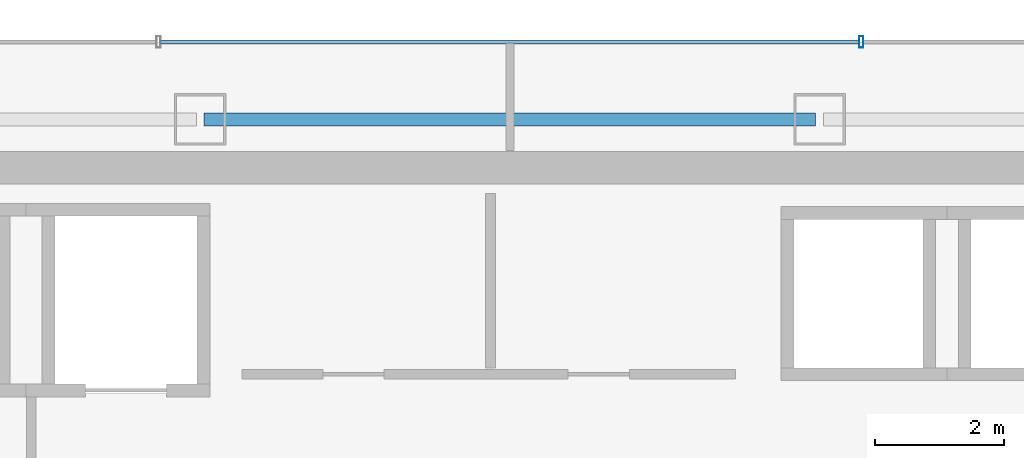
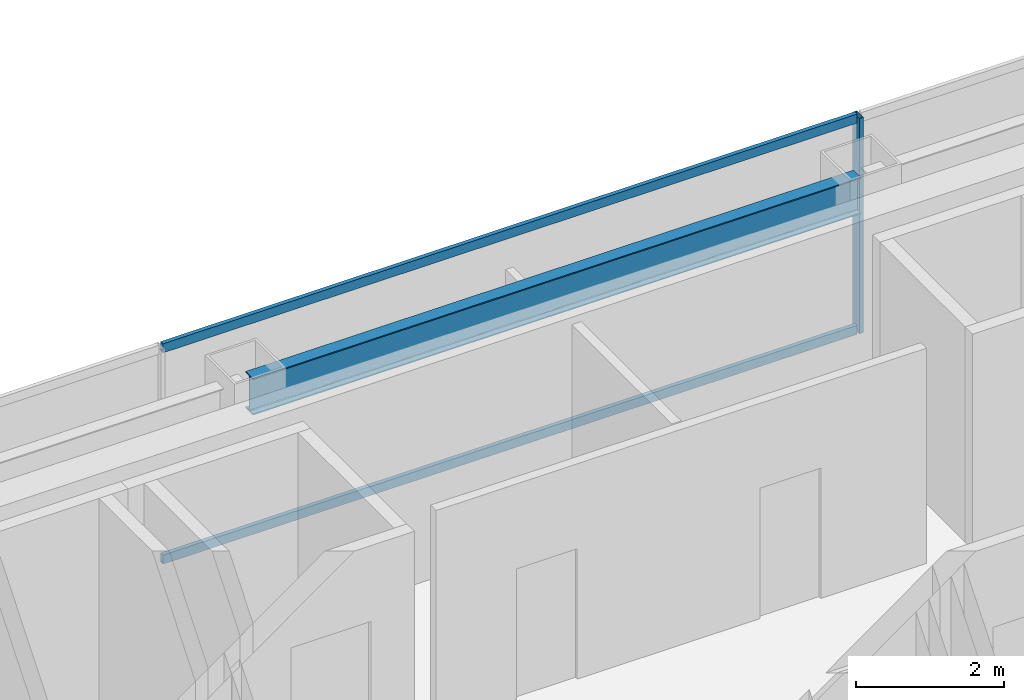
# One storey, part 25 of 35: 3 members, 1 beam, 1 element without a shape of its own.
"""IFC4 building model written with IfcOpenShell, lengths in metres."""

from ifc_helpers import new_model, si_unit, direction, frame, origin, origin_2d, place, context, subcontext, project, spatial, hollow_rectangle, i_section, extrude, material, material_profile, profile_set, type_object, element, aggregate, save


model = new_model("IFC4")

# Units and contexts
model_context = context("Model", 3, precision=1e-05, world=origin(), true_north=direction((0.0, 1.0)))
body_context = subcontext(model_context, "Body", "Model", "MODEL_VIEW")
ifc_project = project(units=[si_unit("LENGTHUNIT", "METRE"), si_unit("AREAUNIT", "SQUARE_METRE"), si_unit("VOLUMEUNIT", "CUBIC_METRE"), si_unit("PLANEANGLEUNIT", "RADIAN"), si_unit("MASSUNIT", "GRAM", prefix="KILO")], contexts=[model_context])

# Site, building, storey
site_placement = place(None, origin())
site = spatial("IfcSite", under=ifc_project, at=site_placement, CompositionType="ELEMENT")
building_placement = place(site_placement, origin())
building = spatial("IfcBuilding", under=site, at=building_placement, Name="Saevonmaru Cultural Tower", CompositionType="ELEMENT")
storey_placement = place(building_placement, frame((0.0, 0.0, 194.199951171875)))
storey = spatial("IfcBuildingStorey", under=building, at=storey_placement, Name="L44", CompositionType="ELEMENT", Elevation=194.199951171875)

# Beam
ifc_material_1 = material(Name="Steel SM355", Category="steel")
ifc_material_profile_1 = material_profile(ifc_material_1, i_section(OverallWidth=0.199951171875, OverallDepth=0.60009765625, WebThickness=0.010986328125, FlangeThickness=0.01708984375, FilletRadius=0.02197265625, at=origin_2d()), Name="H-600x200x11x17")
ifc_profile_set_1 = profile_set([ifc_material_profile_1], Name="Steel SM355")
beam_type = type_object("IfcBeamType", Name="BM-SP-H600", PredefinedType="SPANDREL", material=ifc_profile_set_1)
beam_placement = place(storey_placement, frame((25.260009765625, 54.800048828125, 3.25), z_axis=(1.0, 0.0, 0.0), x_axis=(0.0, 1.0, 0.0)))
element("IfcBeam", 1, at=beam_placement, inside=storey, type_object=beam_type, Name="L44 North Spine Girder 3", PredefinedType="SPANDREL", context=body_context, shape_type="SweptSolid", body=[
    extrude(i_section(OverallWidth=0.199951171875, OverallDepth=0.60009765625, WebThickness=0.010986328125, FlangeThickness=0.01708984375, FilletRadius=0.02197265625, at=origin_2d()), origin(), (0.0, 0.0, 1.0), 9.47998046875),
])

# Curtain wall, members
ifc_material_2 = material(Name="Satin Bronze Anodised Aluminium", Category="aluminium")
curtain_wall_type = type_object("IfcCurtainWallType", Name="CW-TYP-B", PredefinedType="NOTDEFINED", material=ifc_material_2)
curtain_wall_placement = place(storey_placement, origin())
curtain_wall = element("IfcCurtainWall", 2, at=curtain_wall_placement, inside=storey, type_object=curtain_wall_type, Name="L44 North Spine Unitised Curtain Wall E10B", PredefinedType="NOTDEFINED")
ifc_material_profile_2 = material_profile(ifc_material_2, hollow_rectangle(XDim=0.06494140625, YDim=0.179931640625, WallThickness=0.00390625, at=origin_2d()), Name="ALU-MULL-180x65x4")
ifc_profile_set_2 = profile_set([ifc_material_profile_2], Name="Satin Bronze Anodised Aluminium")
member_type_1 = type_object("IfcMemberType", Name="ML-CW-180x65", PredefinedType="MULLION", material=ifc_profile_set_2)
member_1_placement = place(storey_placement, frame((35.44677734375, 56.0, 0.0), z_axis=(0.0, 0.0, 1.0), x_axis=(-1.0, 0.0, 0.0)))
member_1 = element("IfcMember", 3, at=member_1_placement, type_object=member_type_1, Name="CW-TW-L44-E10B mullion 2", PredefinedType="MULLION", context=body_context, shape_type="SweptSolid", body=[
    extrude(hollow_rectangle(XDim=0.06494140625, YDim=0.179931640625, WallThickness=0.00390625, at=origin_2d()), origin(), (0.0, 0.0, 1.0), 3.550048828125),
])
ifc_material_profile_3 = material_profile(ifc_material_2, hollow_rectangle(XDim=0.06494140625, YDim=0.14990234375, WallThickness=0.00390625, at=origin_2d()), Name="ALU-TRAN-150x65x4")
ifc_profile_set_3 = profile_set([ifc_material_profile_3], Name="Satin Bronze Anodised Aluminium")
member_type_2 = type_object("IfcMemberType", Name="TR-CW-150x65", PredefinedType="USERDEFINED", material=ifc_profile_set_3)
member_2_placement = place(storey_placement, frame((35.4140625, 56.0, 0.032470703125), z_axis=(-1.0, 0.0, 0.0), x_axis=(0.0, -1.0, 0.0)))
member_2 = element("IfcMember", 4, at=member_2_placement, type_object=member_type_2, Name="CW-TW-L44-E10B transom 2.1", ObjectType="TRANSOM", PredefinedType="USERDEFINED", context=body_context, shape_type="SweptSolid", body=[
    extrude(hollow_rectangle(XDim=0.06494140625, YDim=0.14990234375, WallThickness=0.00390625, at=origin_2d()), origin(), (0.0, 0.0, 1.0), 10.828125),
])
member_3_placement = place(storey_placement, frame((35.4140625, 56.0, 3.517578125), z_axis=(-1.0, 0.0, 0.0), x_axis=(0.0, -1.0, 0.0)))
member_3 = element("IfcMember", 5, at=member_3_placement, type_object=member_type_2, Name="CW-TW-L44-E10B transom 2.2", ObjectType="TRANSOM", PredefinedType="USERDEFINED", context=body_context, shape_type="SweptSolid", body=[
    extrude(hollow_rectangle(XDim=0.06494140625, YDim=0.14990234375, WallThickness=0.00390625, at=origin_2d()), origin(), (0.0, 0.0, 1.0), 10.828125),
])
aggregate(curtain_wall, [member_1, member_2, member_3])

save(model, "model.ifc")
